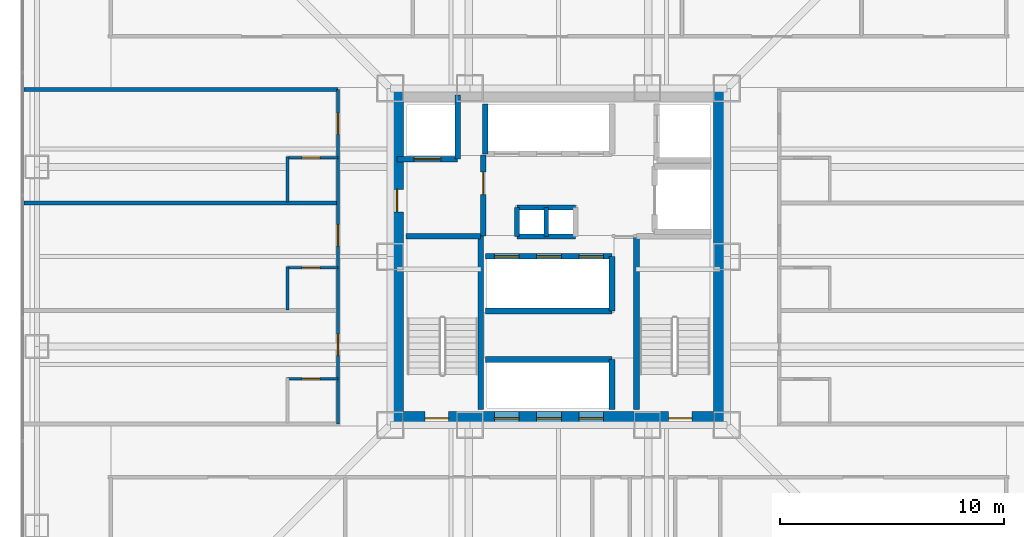
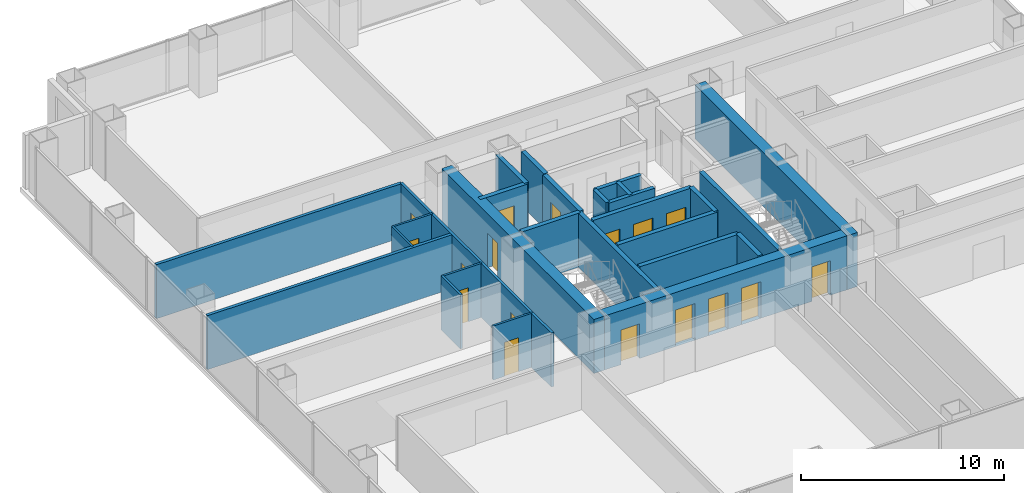
# One storey, part 11 of 16: 27 walls, 17 doors, 17 openings.
"""IFC4 building model written with IfcOpenShell, lengths in metres."""

from ifc_helpers import new_model, si_unit, direction, frame, frame_2d, origin, place, context, subcontext, project, spatial, rectangle, extrude, material, layer, layer_set, type_object, element, fill, save


model = new_model("IFC4")

# Units and contexts
model_context = context("Model", 3, precision=1e-05, world=origin(), true_north=direction((0.0, 1.0)))
body_context = subcontext(model_context, "Body", "Model", "MODEL_VIEW")
ifc_project = project(units=[si_unit("LENGTHUNIT", "METRE"), si_unit("AREAUNIT", "SQUARE_METRE"), si_unit("VOLUMEUNIT", "CUBIC_METRE"), si_unit("PLANEANGLEUNIT", "RADIAN"), si_unit("MASSUNIT", "GRAM", prefix="KILO")], contexts=[model_context])

# Site, building, storey
site_placement = place(None, origin())
site = spatial("IfcSite", under=ifc_project, at=site_placement, CompositionType="ELEMENT")
building_placement = place(site_placement, origin())
building = spatial("IfcBuilding", under=site, at=building_placement, Name="Trevonay Congress Spire", CompositionType="ELEMENT")
storey_placement = place(building_placement, frame((0.0, 0.0, 51.5)))
storey = spatial("IfcBuildingStorey", under=building, at=storey_placement, Name="L12", CompositionType="ELEMENT", Elevation=51.5)

# Wall, opening, door
ifc_material_1 = material(Name="Concrete C40/50", Category="concrete")
ifc_layer_1 = layer(ifc_material_1, 0.1201171875, Name="Concrete C40/50")
ifc_layer_set_1 = layer_set([ifc_layer_1], Name="Concrete C40/50")
wall_type_1 = type_object("IfcWallType", Name="WAL-BATH-120", PredefinedType="PLUMBINGWALL", material=ifc_layer_set_1)
wall_1_placement = place(storey_placement, frame((-12.080078125, -5.44189453125, 0.0), z_axis=(0.0, 0.0, 1.0), x_axis=(1.0, 0.0, 0.0)))
wall_1 = element("IfcWall", 1, at=wall_1_placement, inside=storey, type_object=wall_type_1, Name="L12 interior wall WH-L12W-BS1", PredefinedType="PLUMBINGWALL", context=body_context, shape_type="SweptSolid", body=[
    extrude(rectangle(XDim=2.25, YDim=0.1201171875, at=frame_2d((1.125, 0.0))), origin(), (0.0, 0.0, 1.0), 3.25),
])
opening_1_placement = place(wall_1_placement, frame((0.64990234375, 0.0, 0.0)))
opening_1 = element("IfcOpeningElement", 2, at=opening_1_placement, cuts=wall_1, Name="Opening D11", PredefinedType="OPENING", context=body_context, shape_type="SweptSolid", body=[
    extrude(rectangle(XDim=0.800048828125, YDim=2.050048828125, at=frame_2d((0.39990234375, 1.02490234375))), frame((0.0, 0.070068359375, 0.0), z_axis=(0.0, -1.0, 0.0), x_axis=(1.0, 0.0, 0.0)), (0.0, 0.0, 1.0), 0.14013671875),
])
ifc_material_2 = material(Name="Pale Anodised Aluminium EN AW-6063-T6", Category="aluminium")
door_type_1 = type_object("IfcDoorType", Name="DOR-BATH-80", OperationType="NOTDEFINED", PredefinedType="DOOR", material=ifc_material_2)
door_1_placement = place(opening_1_placement, origin())
door_1 = element("IfcDoor", 3, at=door_1_placement, inside=storey, type_object=door_type_1, Name="L12 En-suite Bathroom Door", OperationType="SINGLE_SWING_RIGHT", OverallHeight=2.050048828125, OverallWidth=0.800048828125, PredefinedType="DOOR", context=body_context, shape_type="SweptSolid", body=[
    extrude(rectangle(XDim=0.800048828125, YDim=2.050048828125, at=frame_2d((0.39990234375, 1.02490234375))), frame((0.0, 0.02490234375, 0.0), z_axis=(0.0, -1.0, 0.0), x_axis=(1.0, 0.0, 0.0)), (0.0, 0.0, 1.0), 0.050048828125),
])
fill(opening_1, door_1)

wall_2_placement = place(storey_placement, frame((-12.080078125, -0.487060546875, 0.0), z_axis=(0.0, 0.0, 1.0), x_axis=(1.0, 0.0, 0.0)))
wall_2 = element("IfcWall", 4, at=wall_2_placement, inside=storey, type_object=wall_type_1, Name="L12 interior wall WH-L12W-BS2", PredefinedType="PLUMBINGWALL", context=body_context, shape_type="SweptSolid", body=[
    extrude(rectangle(XDim=2.25, YDim=0.1201171875, at=frame_2d((1.125, 0.0))), origin(), (0.0, 0.0, 1.0), 3.25),
])
opening_2_placement = place(wall_2_placement, frame((0.64990234375, 0.0, 0.0)))
opening_2 = element("IfcOpeningElement", 5, at=opening_2_placement, cuts=wall_2, Name="Opening D11", PredefinedType="OPENING", context=body_context, shape_type="SweptSolid", body=[
    extrude(rectangle(XDim=0.800048828125, YDim=2.050048828125, at=frame_2d((0.39990234375, 1.02490234375))), frame((0.0, 0.070068359375, 0.0), z_axis=(0.0, -1.0, 0.0), x_axis=(1.0, 0.0, 0.0)), (0.0, 0.0, 1.0), 0.14013671875),
])
door_2_placement = place(opening_2_placement, origin())
door_2 = element("IfcDoor", 6, at=door_2_placement, inside=storey, type_object=door_type_1, Name="L12 En-suite Bathroom Door", OperationType="SINGLE_SWING_LEFT", OverallHeight=2.050048828125, OverallWidth=0.800048828125, PredefinedType="DOOR", context=body_context, shape_type="SweptSolid", body=[
    extrude(rectangle(XDim=0.800048828125, YDim=2.050048828125, at=frame_2d((0.39990234375, 1.02490234375))), frame((0.0, 0.02490234375, 0.0), z_axis=(0.0, -1.0, 0.0), x_axis=(1.0, 0.0, 0.0)), (0.0, 0.0, 1.0), 0.050048828125),
])
fill(opening_2, door_2)

# Wall
wall_3_placement = place(storey_placement, frame((-12.080078125, -2.3701171875, 0.0), z_axis=(0.0, 0.0, 1.0), x_axis=(0.0, 1.0, 0.0)))
element("IfcWall", 7, at=wall_3_placement, inside=storey, type_object=wall_type_1, Name="L12 interior wall WH-L12W-BF2", PredefinedType="PLUMBINGWALL", context=body_context, shape_type="SweptSolid", body=[
    extrude(rectangle(XDim=1.9130859375, YDim=0.1201171875, at=frame_2d((0.95654296875, 0.0))), origin(), (0.0, 0.0, 1.0), 3.25),
])

# Wall, opening, door
wall_4_placement = place(storey_placement, frame((-12.080078125, 4.407958984375, 0.0), z_axis=(0.0, 0.0, 1.0), x_axis=(1.0, 0.0, 0.0)))
wall_4 = element("IfcWall", 8, at=wall_4_placement, inside=storey, type_object=wall_type_1, Name="L12 interior wall WH-L12W-BS3", PredefinedType="PLUMBINGWALL", context=body_context, shape_type="SweptSolid", body=[
    extrude(rectangle(XDim=2.25, YDim=0.1201171875, at=frame_2d((1.125, 0.0))), origin(), (0.0, 0.0, 1.0), 3.25),
])
opening_3_placement = place(wall_4_placement, frame((0.64990234375, 0.0, 0.0)))
opening_3 = element("IfcOpeningElement", 9, at=opening_3_placement, cuts=wall_4, Name="Opening D11", PredefinedType="OPENING", context=body_context, shape_type="SweptSolid", body=[
    extrude(rectangle(XDim=0.800048828125, YDim=2.050048828125, at=frame_2d((0.39990234375, 1.02490234375))), frame((0.0, 0.070068359375, 0.0), z_axis=(0.0, -1.0, 0.0), x_axis=(1.0, 0.0, 0.0)), (0.0, 0.0, 1.0), 0.14013671875),
])
door_3_placement = place(opening_3_placement, origin())
door_3 = element("IfcDoor", 10, at=door_3_placement, inside=storey, type_object=door_type_1, Name="L12 En-suite Bathroom Door", OperationType="SINGLE_SWING_RIGHT", OverallHeight=2.050048828125, OverallWidth=0.800048828125, PredefinedType="DOOR", context=body_context, shape_type="SweptSolid", body=[
    extrude(rectangle(XDim=0.800048828125, YDim=2.050048828125, at=frame_2d((0.39990234375, 1.02490234375))), frame((0.0, 0.02490234375, 0.0), z_axis=(0.0, -1.0, 0.0), x_axis=(1.0, 0.0, 0.0)), (0.0, 0.0, 1.0), 0.050048828125),
])
fill(opening_3, door_3)

# Wall
wall_5_placement = place(storey_placement, frame((-12.080078125, 2.429931640625, 0.0), z_axis=(0.0, 0.0, 1.0), x_axis=(0.0, 1.0, 0.0)))
element("IfcWall", 11, at=wall_5_placement, inside=storey, type_object=wall_type_1, Name="L12 interior wall WH-L12W-BF3", PredefinedType="PLUMBINGWALL", context=body_context, shape_type="SweptSolid", body=[
    extrude(rectangle(XDim=2.008056640625, YDim=0.1201171875, at=frame_2d((1.00390625, 0.0))), origin(), (0.0, 0.0, 1.0), 3.25),
])

# Wall, openings, doors
ifc_material_3 = material(Name="Concrete C60/75", Category="concrete")
ifc_layer_2 = layer(ifc_material_3, 0.60009765625, Name="Concrete C60/75")
ifc_layer_set_2 = layer_set([ifc_layer_2], Name="Concrete C60/75")
wall_type_2 = type_object("IfcWallType", Name="WAL-CORE-600", PredefinedType="SHEAR", material=ifc_layer_set_2)
wall_6_placement = place(storey_placement, frame((-7.5, -7.199951171875, 0.0), z_axis=(0.0, 0.0, 1.0), x_axis=(1.0, 0.0, 0.0)))
wall_6 = element("IfcWall", 12, at=wall_6_placement, inside=storey, type_object=wall_type_2, Name="L12 South structural core shear wall", PredefinedType="SHEAR", context=body_context, shape_type="SweptSolid", body=[
    extrude(rectangle(XDim=15.0, YDim=0.60009765625, at=frame_2d((7.5, 0.0))), origin(), (0.0, 0.0, 1.0), 3.25),
])
opening_4_placement = place(wall_6_placement, frame((1.550048828125, 0.0, 0.0)))
opening_4 = element("IfcOpeningElement", 13, at=opening_4_placement, cuts=wall_6, Name="Opening D05", PredefinedType="OPENING", context=body_context, shape_type="SweptSolid", body=[
    extrude(rectangle(XDim=1.050048828125, YDim=2.080078125, at=frame_2d((0.52490234375, 1.0400390625))), frame((0.0, 0.31005859375, 0.0), z_axis=(0.0, -1.0, 0.0), x_axis=(1.0, 0.0, 0.0)), (0.0, 0.0, 1.0), 0.6201171875),
])
opening_5_placement = place(wall_6_placement, frame((12.39990234375, 0.0, 0.0)))
opening_5 = element("IfcOpeningElement", 14, at=opening_5_placement, cuts=wall_6, Name="Opening D05", PredefinedType="OPENING", context=body_context, shape_type="SweptSolid", body=[
    extrude(rectangle(XDim=1.050048828125, YDim=2.080078125, at=frame_2d((0.52490234375, 1.0400390625))), frame((0.0, 0.31005859375, 0.0), z_axis=(0.0, -1.0, 0.0), x_axis=(1.0, 0.0, 0.0)), (0.0, 0.0, 1.0), 0.6201171875),
])
opening_6_placement = place(wall_6_placement, frame((4.639892578125, 0.0, 0.0)))
opening_6 = element("IfcOpeningElement", 15, at=opening_6_placement, cuts=wall_6, Name="Opening LD01", PredefinedType="OPENING", context=body_context, shape_type="SweptSolid", body=[
    extrude(rectangle(XDim=1.10009765625, YDim=2.199951171875, at=frame_2d((0.550048828125, 1.10009765625))), frame((0.0, 0.31005859375, 0.0), z_axis=(0.0, -1.0, 0.0), x_axis=(1.0, 0.0, 0.0)), (0.0, 0.0, 1.0), 0.6201171875),
])
opening_7_placement = place(wall_6_placement, frame((6.52001953125, 0.0, 0.0)))
opening_7 = element("IfcOpeningElement", 16, at=opening_7_placement, cuts=wall_6, Name="Opening LD01", PredefinedType="OPENING", context=body_context, shape_type="SweptSolid", body=[
    extrude(rectangle(XDim=1.10009765625, YDim=2.199951171875, at=frame_2d((0.550048828125, 1.10009765625))), frame((0.0, 0.31005859375, 0.0), z_axis=(0.0, -1.0, 0.0), x_axis=(1.0, 0.0, 0.0)), (0.0, 0.0, 1.0), 0.6201171875),
])
opening_8_placement = place(wall_6_placement, frame((8.39990234375, 0.0, 0.0)))
opening_8 = element("IfcOpeningElement", 17, at=opening_8_placement, cuts=wall_6, Name="Opening LD01", PredefinedType="OPENING", context=body_context, shape_type="SweptSolid", body=[
    extrude(rectangle(XDim=1.10009765625, YDim=2.199951171875, at=frame_2d((0.550048828125, 1.10009765625))), frame((0.0, 0.31005859375, 0.0), z_axis=(0.0, -1.0, 0.0), x_axis=(1.0, 0.0, 0.0)), (0.0, 0.0, 1.0), 0.6201171875),
])
door_type_2 = type_object("IfcDoorType", Name="DOR-LIFT-LD01", OperationType="DOUBLE_DOOR_SLIDING", PredefinedType="DOOR", material=ifc_material_2)
door_4_placement = place(opening_6_placement, origin())
door_4 = element("IfcDoor", 18, at=door_4_placement, inside=storey, type_object=door_type_2, Name="L12 Passenger lift PL-01 landing door", OperationType="DOUBLE_DOOR_SLIDING", OverallHeight=2.199951171875, OverallWidth=1.10009765625, PredefinedType="DOOR", context=body_context, shape_type="SweptSolid", body=[
    extrude(rectangle(XDim=1.10009765625, YDim=2.199951171875, at=frame_2d((0.550048828125, 1.10009765625))), frame((0.0, 0.02490234375, 0.0), z_axis=(0.0, -1.0, 0.0), x_axis=(1.0, 0.0, 0.0)), (0.0, 0.0, 1.0), 0.050048828125),
])
fill(opening_6, door_4)
door_5_placement = place(opening_7_placement, origin())
door_5 = element("IfcDoor", 19, at=door_5_placement, inside=storey, type_object=door_type_2, Name="L12 Passenger lift PL-02 landing door", OperationType="DOUBLE_DOOR_SLIDING", OverallHeight=2.199951171875, OverallWidth=1.10009765625, PredefinedType="DOOR", context=body_context, shape_type="SweptSolid", body=[
    extrude(rectangle(XDim=1.10009765625, YDim=2.199951171875, at=frame_2d((0.550048828125, 1.10009765625))), frame((0.0, 0.02490234375, 0.0), z_axis=(0.0, -1.0, 0.0), x_axis=(1.0, 0.0, 0.0)), (0.0, 0.0, 1.0), 0.050048828125),
])
fill(opening_7, door_5)
door_6_placement = place(opening_8_placement, origin())
door_6 = element("IfcDoor", 20, at=door_6_placement, inside=storey, type_object=door_type_2, Name="L12 Passenger lift PL-03 landing door", OperationType="DOUBLE_DOOR_SLIDING", OverallHeight=2.199951171875, OverallWidth=1.10009765625, PredefinedType="DOOR", context=body_context, shape_type="SweptSolid", body=[
    extrude(rectangle(XDim=1.10009765625, YDim=2.199951171875, at=frame_2d((0.550048828125, 1.10009765625))), frame((0.0, 0.02490234375, 0.0), z_axis=(0.0, -1.0, 0.0), x_axis=(1.0, 0.0, 0.0)), (0.0, 0.0, 1.0), 0.050048828125),
])
fill(opening_8, door_6)
ifc_material_4 = material(Name="Steel ASTM A572 Grade 50", Category="steel")
door_type_3 = type_object("IfcDoorType", Name="DOR-STAIR-110", OperationType="NOTDEFINED", PredefinedType="DOOR", material=ifc_material_4)
door_7_placement = place(opening_4_placement, origin())
door_7 = element("IfcDoor", 21, at=door_7_placement, inside=storey, type_object=door_type_3, Name="L12 Protected Stair ST-1 Door", OperationType="SINGLE_SWING_LEFT", OverallHeight=2.080078125, OverallWidth=1.050048828125, PredefinedType="DOOR", context=body_context, shape_type="SweptSolid", body=[
    extrude(rectangle(XDim=1.050048828125, YDim=2.080078125, at=frame_2d((0.52490234375, 1.0400390625))), frame((0.0, 0.02490234375, 0.0), z_axis=(0.0, -1.0, 0.0), x_axis=(1.0, 0.0, 0.0)), (0.0, 0.0, 1.0), 0.050048828125),
])
fill(opening_4, door_7)
door_8_placement = place(opening_5_placement, origin())
door_8 = element("IfcDoor", 22, at=door_8_placement, inside=storey, type_object=door_type_3, Name="L12 Protected Stair ST-2 Door", OperationType="SINGLE_SWING_RIGHT", OverallHeight=2.080078125, OverallWidth=1.050048828125, PredefinedType="DOOR", context=body_context, shape_type="SweptSolid", body=[
    extrude(rectangle(XDim=1.050048828125, YDim=2.080078125, at=frame_2d((0.52490234375, 1.0400390625))), frame((0.0, 0.02490234375, 0.0), z_axis=(0.0, -1.0, 0.0), x_axis=(1.0, 0.0, 0.0)), (0.0, 0.0, 1.0), 0.050048828125),
])
fill(opening_5, door_8)

# Wall, opening, door
wall_7_placement = place(storey_placement, frame((-7.199951171875, -7.5, 0.0), z_axis=(0.0, 0.0, 1.0), x_axis=(0.0, 1.0, 0.0)))
wall_7 = element("IfcWall", 23, at=wall_7_placement, inside=storey, type_object=wall_type_2, Name="L12 West structural core shear wall", PredefinedType="SHEAR", context=body_context, shape_type="SweptSolid", body=[
    extrude(rectangle(XDim=15.0, YDim=0.60009765625, at=frame_2d((7.5, 0.0))), origin(), (0.0, 0.0, 1.0), 3.25),
])
opening_9_placement = place(wall_7_placement, frame((9.5, 0.0, 0.0)))
opening_9 = element("IfcOpeningElement", 24, at=opening_9_placement, cuts=wall_7, Name="Opening D06", PredefinedType="OPENING", context=body_context, shape_type="SweptSolid", body=[
    extrude(rectangle(XDim=1.0, YDim=2.080078125, at=frame_2d((0.5, 1.0400390625))), frame((0.0, 0.31005859375, 0.0), z_axis=(0.0, -1.0, 0.0), x_axis=(1.0, 0.0, 0.0)), (0.0, 0.0, 1.0), 0.6201171875),
])
door_type_4 = type_object("IfcDoorType", Name="DOR-FIRE-100", OperationType="NOTDEFINED", PredefinedType="DOOR", material=ifc_material_4)
door_9_placement = place(opening_9_placement, origin())
door_9 = element("IfcDoor", 25, at=door_9_placement, inside=storey, type_object=door_type_4, Name="L12 Firefighting Lift Lobby West Corridor Door", OperationType="SINGLE_SWING_LEFT", OverallHeight=2.080078125, OverallWidth=1.0, PredefinedType="DOOR", context=body_context, shape_type="SweptSolid", body=[
    extrude(rectangle(XDim=1.0, YDim=2.080078125, at=frame_2d((0.5, 1.0400390625))), frame((0.0, 0.02490234375, 0.0), z_axis=(0.0, -1.0, 0.0), x_axis=(1.0, 0.0, 0.0)), (0.0, 0.0, 1.0), 0.050048828125),
])
fill(opening_9, door_9)

# Wall
wall_8_placement = place(storey_placement, frame((7.199951171875, -7.5, 0.0), z_axis=(0.0, 0.0, 1.0), x_axis=(0.0, 1.0, 0.0)))
element("IfcWall", 26, at=wall_8_placement, inside=storey, type_object=wall_type_2, Name="L12 East structural core shear wall", PredefinedType="SHEAR", context=body_context, shape_type="SweptSolid", body=[
    extrude(rectangle(XDim=15.0, YDim=0.60009765625, at=frame_2d((7.5, 0.0))), origin(), (0.0, 0.0, 1.0), 3.25),
])

# Wall, openings, doors
ifc_layer_3 = layer(ifc_material_1, 0.14990234375, Name="Concrete C40/50")
ifc_layer_set_3 = layer_set([ifc_layer_3], Name="Concrete C40/50")
wall_type_3 = type_object("IfcWallType", Name="WAL-CORR-150", PredefinedType="PARTITIONING", material=ifc_layer_set_3)
wall_9_placement = place(storey_placement, frame((-9.830078125, -7.449951171875, 0.0), z_axis=(0.0, 0.0, 1.0), x_axis=(0.0, 1.0, 0.0)))
wall_9 = element("IfcWall", 27, at=wall_9_placement, inside=storey, type_object=wall_type_3, Name="L12 interior wall WH-L12W-COR", PredefinedType="PARTITIONING", context=body_context, shape_type="SweptSolid", body=[
    extrude(rectangle(XDim=14.89990234375, YDim=0.14990234375, at=frame_2d((7.449951171875, 0.0))), origin(), (0.0, 0.0, 1.0), 3.25),
])
opening_10_placement = place(wall_9_placement, frame((3.049072265625, 0.0, 0.0)))
opening_10 = element("IfcOpeningElement", 28, at=opening_10_placement, cuts=wall_9, Name="Opening D08", PredefinedType="OPENING", context=body_context, shape_type="SweptSolid", body=[
    extrude(rectangle(XDim=0.949951171875, YDim=2.080078125, at=frame_2d((0.47509765625, 1.0400390625))), frame((0.0, 0.0849609375, 0.0), z_axis=(0.0, -1.0, 0.0), x_axis=(1.0, 0.0, 0.0)), (0.0, 0.0, 1.0), 0.169921875),
])
opening_11_placement = place(wall_9_placement, frame((7.926513671875, 0.0, 0.0)))
opening_11 = element("IfcOpeningElement", 29, at=opening_11_placement, cuts=wall_9, Name="Opening D08", PredefinedType="OPENING", context=body_context, shape_type="SweptSolid", body=[
    extrude(rectangle(XDim=0.949951171875, YDim=2.080078125, at=frame_2d((0.47509765625, 1.0400390625))), frame((0.0, 0.0849609375, 0.0), z_axis=(0.0, -1.0, 0.0), x_axis=(1.0, 0.0, 0.0)), (0.0, 0.0, 1.0), 0.169921875),
])
opening_12_placement = place(wall_9_placement, frame((12.89892578125, 0.0, 0.0)))
opening_12 = element("IfcOpeningElement", 30, at=opening_12_placement, cuts=wall_9, Name="Opening D08", PredefinedType="OPENING", context=body_context, shape_type="SweptSolid", body=[
    extrude(rectangle(XDim=0.949951171875, YDim=2.080078125, at=frame_2d((0.47509765625, 1.0400390625))), frame((0.0, 0.0849609375, 0.0), z_axis=(0.0, -1.0, 0.0), x_axis=(1.0, 0.0, 0.0)), (0.0, 0.0, 1.0), 0.169921875),
])
door_type_5 = type_object("IfcDoorType", Name="DOR-SUITE-95", OperationType="NOTDEFINED", PredefinedType="DOOR", material=ifc_material_2)
door_10_placement = place(opening_10_placement, origin())
door_10 = element("IfcDoor", 31, at=door_10_placement, inside=storey, type_object=door_type_5, Name="L12 Corner Hotel Suite Entrance Door", OperationType="SINGLE_SWING_LEFT", OverallHeight=2.080078125, OverallWidth=0.949951171875, PredefinedType="DOOR", context=body_context, shape_type="SweptSolid", body=[
    extrude(rectangle(XDim=0.949951171875, YDim=2.080078125, at=frame_2d((0.47509765625, 1.0400390625))), frame((0.0, 0.02490234375, 0.0), z_axis=(0.0, -1.0, 0.0), x_axis=(1.0, 0.0, 0.0)), (0.0, 0.0, 1.0), 0.050048828125),
])
fill(opening_10, door_10)
door_11_placement = place(opening_11_placement, origin())
door_11 = element("IfcDoor", 32, at=door_11_placement, inside=storey, type_object=door_type_5, Name="L12 Corner Hotel Suite Entrance Door", OperationType="SINGLE_SWING_RIGHT", OverallHeight=2.080078125, OverallWidth=0.949951171875, PredefinedType="DOOR", context=body_context, shape_type="SweptSolid", body=[
    extrude(rectangle(XDim=0.949951171875, YDim=2.080078125, at=frame_2d((0.47509765625, 1.0400390625))), frame((0.0, 0.02490234375, 0.0), z_axis=(0.0, -1.0, 0.0), x_axis=(1.0, 0.0, 0.0)), (0.0, 0.0, 1.0), 0.050048828125),
])
fill(opening_11, door_11)
door_12_placement = place(opening_12_placement, origin())
door_12 = element("IfcDoor", 33, at=door_12_placement, inside=storey, type_object=door_type_5, Name="L12 Corner Hotel Suite Entrance Door", OperationType="SINGLE_SWING_LEFT", OverallHeight=2.080078125, OverallWidth=0.949951171875, PredefinedType="DOOR", context=body_context, shape_type="SweptSolid", body=[
    extrude(rectangle(XDim=0.949951171875, YDim=2.080078125, at=frame_2d((0.47509765625, 1.0400390625))), frame((0.0, 0.02490234375, 0.0), z_axis=(0.0, -1.0, 0.0), x_axis=(1.0, 0.0, 0.0)), (0.0, 0.0, 1.0), 0.050048828125),
])
fill(opening_12, door_12)

# Walls
ifc_layer_4 = layer(ifc_material_1, 0.179931640625, Name="Concrete C40/50")
ifc_layer_set_4 = layer_set([ifc_layer_4], Name="Concrete C40/50")
wall_type_4 = type_object("IfcWallType", Name="WAL-HOTEL-180", PredefinedType="PARTITIONING", material=ifc_layer_set_4)
for number, where, z_axis, x_axis, name in (
    (34, (-23.820068359375, 2.39990234375, 0.0), (0.0, 0.0, 1.0), (1.0, 0.0, 0.0), "L12 interior wall WH-L12W-DIV3"),
    (35, (-23.820068359375, 7.449951171875, 0.0), (0.0, 0.0, 1.0), (1.0, 0.0, 0.0), "L12 interior wall WH-L12W-DIV4"),
):
    element("IfcWall", number, at=place(storey_placement, frame(where, z_axis=z_axis, x_axis=x_axis)), inside=storey, type_object=wall_type_4, Name=name, PredefinedType="PARTITIONING", context=body_context, shape_type="SweptSolid", body=[
        extrude(rectangle(XDim=13.989990234375, YDim=0.179931640625, at=frame_2d((6.9951171875, 0.0))), origin(), (0.0, 0.0, 1.0), 3.25),
    ])
ifc_layer_5 = layer(ifc_material_1, 0.219970703125, Name="Concrete C40/50")
ifc_layer_set_5 = layer_set([ifc_layer_5], Name="Concrete C40/50")
wall_type_5 = type_object("IfcWallType", Name="WAL-SHAFT-220", PredefinedType="PARTITIONING", material=ifc_layer_set_5)
for number, where, z_axis, x_axis, name in (
    (36, (-1.85009765625, 2.199951171875, 0.0), (0.0, 0.0, 1.0), (1.0, 0.0, 0.0), "L12 interior shaft wall WSH-L12-RSR-N"),
    (37, (-1.85009765625, 0.89990234375, 0.0), (0.0, 0.0, 1.0), (1.0, 0.0, 0.0), "L12 interior shaft wall WSH-L12-RSR-S"),
):
    element("IfcWall", number, at=place(storey_placement, frame(where, z_axis=z_axis, x_axis=x_axis)), inside=storey, type_object=wall_type_5, Name=name, PredefinedType="PARTITIONING", context=body_context, shape_type="SweptSolid", body=[
        extrude(rectangle(XDim=2.60009765625, YDim=0.219970703125, at=frame_2d((1.300048828125, 0.0))), origin(), (0.0, 0.0, 1.0), 3.25),
    ])
for number, where, z_axis, x_axis, name in (
    (38, (-0.550048828125, 0.89990234375, 0.0), (0.0, 0.0, 1.0), (0.0, 1.0, 0.0), "L12 interior shaft wall WSH-L12-RSR-M"),
    (39, (-1.85009765625, 0.89990234375, 0.0), (0.0, 0.0, 1.0), (0.0, 1.0, 0.0), "L12 interior shaft wall WSH-L12-RSR-W"),
):
    element("IfcWall", number, at=place(storey_placement, frame(where, z_axis=z_axis, x_axis=x_axis)), inside=storey, type_object=wall_type_5, Name=name, PredefinedType="PARTITIONING", context=body_context, shape_type="SweptSolid", body=[
        extrude(rectangle(XDim=1.300048828125, YDim=0.219970703125, at=frame_2d((0.64990234375, 0.0))), origin(), (0.0, 0.0, 1.0), 3.25),
    ])
ifc_layer_6 = layer(ifc_material_1, 0.25, Name="Concrete C40/50")
ifc_layer_set_6 = layer_set([ifc_layer_6], Name="Concrete C40/50")
wall_type_6 = type_object("IfcWallType", Name="WAL-SHAFT-250", PredefinedType="SHEAR", material=ifc_layer_set_6)
wall_10_placement = place(storey_placement, frame((-3.260009765625, -4.580078125, 0.0), z_axis=(0.0, 0.0, 1.0), x_axis=(1.0, 0.0, 0.0)))
element("IfcWall", 40, at=wall_10_placement, inside=storey, type_object=wall_type_6, Name="L12 interior shaft wall WSH-L12-B1-N", PredefinedType="SHEAR", context=body_context, shape_type="SweptSolid", body=[
    extrude(rectangle(XDim=5.639892578125, YDim=0.25, at=frame_2d((2.81982421875, 0.0))), origin(), (0.0, 0.0, 1.0), 3.25),
])
wall_11_placement = place(storey_placement, frame((2.3798828125, -6.800048828125, 0.0), z_axis=(0.0, 0.0, 1.0), x_axis=(0.0, 1.0, 0.0)))
element("IfcWall", 41, at=wall_11_placement, inside=storey, type_object=wall_type_6, Name="L12 interior shaft wall WSH-L12-B1-E", PredefinedType="SHEAR", context=body_context, shape_type="SweptSolid", body=[
    extrude(rectangle(XDim=2.219970703125, YDim=0.25, at=frame_2d((1.10986328125, 0.0))), origin(), (0.0, 0.0, 1.0), 3.25),
])

# Wall, openings, doors
wall_12_placement = place(storey_placement, frame((-3.260009765625, 0.02001953125, 0.0), z_axis=(0.0, 0.0, 1.0), x_axis=(1.0, 0.0, 0.0)))
wall_12 = element("IfcWall", 42, at=wall_12_placement, inside=storey, type_object=wall_type_6, Name="L12 interior shaft wall WSH-L12-B2-N", PredefinedType="SHEAR", context=body_context, shape_type="SweptSolid", body=[
    extrude(rectangle(XDim=5.639892578125, YDim=0.25, at=frame_2d((2.81982421875, 0.0))), origin(), (0.0, 0.0, 1.0), 3.25),
])
opening_13_placement = place(wall_12_placement, frame((0.39990234375, 0.0, 0.0)))
opening_13 = element("IfcOpeningElement", 43, at=opening_13_placement, cuts=wall_12, Name="Opening LD02", PredefinedType="OPENING", context=body_context, shape_type="SweptSolid", body=[
    extrude(rectangle(XDim=1.10009765625, YDim=2.199951171875, at=frame_2d((0.550048828125, 1.10009765625))), frame((0.0, 0.135009765625, 0.0), z_axis=(0.0, -1.0, 0.0), x_axis=(1.0, 0.0, 0.0)), (0.0, 0.0, 1.0), 0.27001953125),
])
opening_14_placement = place(wall_12_placement, frame((2.280029296875, 0.0, 0.0)))
opening_14 = element("IfcOpeningElement", 44, at=opening_14_placement, cuts=wall_12, Name="Opening LD02", PredefinedType="OPENING", context=body_context, shape_type="SweptSolid", body=[
    extrude(rectangle(XDim=1.10009765625, YDim=2.199951171875, at=frame_2d((0.550048828125, 1.10009765625))), frame((0.0, 0.135009765625, 0.0), z_axis=(0.0, -1.0, 0.0), x_axis=(1.0, 0.0, 0.0)), (0.0, 0.0, 1.0), 0.27001953125),
])
opening_15_placement = place(wall_12_placement, frame((4.159912109375, 0.0, 0.0)))
opening_15 = element("IfcOpeningElement", 45, at=opening_15_placement, cuts=wall_12, Name="Opening LD02", PredefinedType="OPENING", context=body_context, shape_type="SweptSolid", body=[
    extrude(rectangle(XDim=1.10009765625, YDim=2.199951171875, at=frame_2d((0.550048828125, 1.10009765625))), frame((0.0, 0.135009765625, 0.0), z_axis=(0.0, -1.0, 0.0), x_axis=(1.0, 0.0, 0.0)), (0.0, 0.0, 1.0), 0.27001953125),
])
door_type_6 = type_object("IfcDoorType", Name="DOR-LIFT-LD02", OperationType="DOUBLE_DOOR_SLIDING", PredefinedType="DOOR", material=ifc_material_2)
door_13_placement = place(opening_13_placement, origin())
door_13 = element("IfcDoor", 46, at=door_13_placement, inside=storey, type_object=door_type_6, Name="L12 Passenger lift PL-04 landing door", OperationType="DOUBLE_DOOR_SLIDING", OverallHeight=2.199951171875, OverallWidth=1.10009765625, PredefinedType="DOOR", context=body_context, shape_type="SweptSolid", body=[
    extrude(rectangle(XDim=1.10009765625, YDim=2.199951171875, at=frame_2d((0.550048828125, 1.10009765625))), frame((0.0, 0.02490234375, 0.0), z_axis=(0.0, -1.0, 0.0), x_axis=(1.0, 0.0, 0.0)), (0.0, 0.0, 1.0), 0.050048828125),
])
fill(opening_13, door_13)
door_14_placement = place(opening_14_placement, origin())
door_14 = element("IfcDoor", 47, at=door_14_placement, inside=storey, type_object=door_type_6, Name="L12 Passenger lift PL-05 landing door", OperationType="DOUBLE_DOOR_SLIDING", OverallHeight=2.199951171875, OverallWidth=1.10009765625, PredefinedType="DOOR", context=body_context, shape_type="SweptSolid", body=[
    extrude(rectangle(XDim=1.10009765625, YDim=2.199951171875, at=frame_2d((0.550048828125, 1.10009765625))), frame((0.0, 0.02490234375, 0.0), z_axis=(0.0, -1.0, 0.0), x_axis=(1.0, 0.0, 0.0)), (0.0, 0.0, 1.0), 0.050048828125),
])
fill(opening_14, door_14)
door_15_placement = place(opening_15_placement, origin())
door_15 = element("IfcDoor", 48, at=door_15_placement, inside=storey, type_object=door_type_6, Name="L12 Passenger lift PL-06 landing door", OperationType="DOUBLE_DOOR_SLIDING", OverallHeight=2.199951171875, OverallWidth=1.10009765625, PredefinedType="DOOR", context=body_context, shape_type="SweptSolid", body=[
    extrude(rectangle(XDim=1.10009765625, YDim=2.199951171875, at=frame_2d((0.550048828125, 1.10009765625))), frame((0.0, 0.02490234375, 0.0), z_axis=(0.0, -1.0, 0.0), x_axis=(1.0, 0.0, 0.0)), (0.0, 0.0, 1.0), 0.050048828125),
])
fill(opening_15, door_15)

# Walls
wall_13_placement = place(storey_placement, frame((-3.260009765625, -2.419921875, 0.0), z_axis=(0.0, 0.0, 1.0), x_axis=(1.0, 0.0, 0.0)))
element("IfcWall", 49, at=wall_13_placement, inside=storey, type_object=wall_type_6, Name="L12 interior shaft wall WSH-L12-B2-S", PredefinedType="SHEAR", context=body_context, shape_type="SweptSolid", body=[
    extrude(rectangle(XDim=5.639892578125, YDim=0.25, at=frame_2d((2.81982421875, 0.0))), origin(), (0.0, 0.0, 1.0), 3.25),
])
wall_14_placement = place(storey_placement, frame((2.3798828125, -2.419921875, 0.0), z_axis=(0.0, 0.0, 1.0), x_axis=(0.0, 1.0, 0.0)))
element("IfcWall", 50, at=wall_14_placement, inside=storey, type_object=wall_type_6, Name="L12 interior shaft wall WSH-L12-B2-E", PredefinedType="SHEAR", context=body_context, shape_type="SweptSolid", body=[
    extrude(rectangle(XDim=2.43994140625, YDim=0.25, at=frame_2d((1.219970703125, 0.0))), origin(), (0.0, 0.0, 1.0), 3.25),
])
wall_15_placement = place(storey_placement, frame((-3.260009765625, 4.580078125, 0.0), z_axis=(0.0, 0.0, 1.0), x_axis=(0.0, 1.0, 0.0)))
element("IfcWall", 51, at=wall_15_placement, inside=storey, type_object=wall_type_6, Name="L12 interior shaft wall WSH-L12-B3-W", PredefinedType="SHEAR", context=body_context, shape_type="SweptSolid", body=[
    extrude(rectangle(XDim=2.219970703125, YDim=0.25, at=frame_2d((1.10986328125, 0.0))), origin(), (0.0, 0.0, 1.0), 3.25),
])

# Wall, opening, door
wall_16_placement = place(storey_placement, frame((-7.199951171875, 4.35009765625, 0.0), z_axis=(0.0, 0.0, 1.0), x_axis=(1.0, 0.0, 0.0)))
wall_16 = element("IfcWall", 52, at=wall_16_placement, inside=storey, type_object=wall_type_6, Name="L12 interior shaft wall WSH-L12-FF1-S", PredefinedType="SHEAR", context=body_context, shape_type="SweptSolid", body=[
    extrude(rectangle(XDim=2.699951171875, YDim=0.25, at=frame_2d((1.35009765625, 0.0))), origin(), (0.0, 0.0, 1.0), 3.25),
])
opening_16_placement = place(wall_16_placement, frame((0.75, 0.0, 0.0)))
opening_16 = element("IfcOpeningElement", 53, at=opening_16_placement, cuts=wall_16, Name="Opening LD04", PredefinedType="OPENING", context=body_context, shape_type="SweptSolid", body=[
    extrude(rectangle(XDim=1.199951171875, YDim=2.199951171875, at=frame_2d((0.60009765625, 1.10009765625))), frame((0.0, 0.135009765625, 0.0), z_axis=(0.0, -1.0, 0.0), x_axis=(1.0, 0.0, 0.0)), (0.0, 0.0, 1.0), 0.27001953125),
])
door_type_7 = type_object("IfcDoorType", Name="DOR-LIFT-LD04", OperationType="DOUBLE_DOOR_SLIDING", PredefinedType="DOOR", material=ifc_material_4)
door_16_placement = place(opening_16_placement, origin())
door_16 = element("IfcDoor", 54, at=door_16_placement, inside=storey, type_object=door_type_7, Name="L12 Firefighting lift FFL-01 landing door", OperationType="DOUBLE_DOOR_SLIDING", OverallHeight=2.199951171875, OverallWidth=1.199951171875, PredefinedType="DOOR", context=body_context, shape_type="SweptSolid", body=[
    extrude(rectangle(XDim=1.199951171875, YDim=2.199951171875, at=frame_2d((0.60009765625, 1.10009765625))), frame((0.0, 0.02490234375, 0.0), z_axis=(0.0, -1.0, 0.0), x_axis=(1.0, 0.0, 0.0)), (0.0, 0.0, 1.0), 0.050048828125),
])
fill(opening_16, door_16)

# Wall
wall_17_placement = place(storey_placement, frame((-4.5, 4.35009765625, 0.0), z_axis=(0.0, 0.0, 1.0), x_axis=(0.0, 1.0, 0.0)))
element("IfcWall", 55, at=wall_17_placement, inside=storey, type_object=wall_type_6, Name="L12 interior shaft wall WSH-L12-FF1-E", PredefinedType="SHEAR", context=body_context, shape_type="SweptSolid", body=[
    extrude(rectangle(XDim=2.849853515625, YDim=0.25, at=frame_2d((1.4248046875, 0.0))), origin(), (0.0, 0.0, 1.0), 3.25),
])

# Wall, opening, door
wall_18_placement = place(storey_placement, frame((-3.35009765625, 0.919921875, 0.0), z_axis=(0.0, 0.0, 1.0), x_axis=(0.0, 1.0, 0.0)))
wall_18 = element("IfcWall", 56, at=wall_18_placement, inside=storey, type_object=wall_type_6, Name="L12 interior wall CW-FFLW-E-L12", PredefinedType="SHEAR", context=body_context, shape_type="SweptSolid", body=[
    extrude(rectangle(XDim=3.6201171875, YDim=0.25, at=frame_2d((1.81005859375, 0.0))), origin(), (0.0, 0.0, 1.0), 3.25),
])
opening_17_placement = place(wall_18_placement, frame((1.85009765625, 0.0, 0.0)))
opening_17 = element("IfcOpeningElement", 57, at=opening_17_placement, cuts=wall_18, Name="Opening D06", PredefinedType="OPENING", context=body_context, shape_type="SweptSolid", body=[
    extrude(rectangle(XDim=1.0, YDim=2.080078125, at=frame_2d((0.5, 1.0400390625))), frame((0.0, 0.135009765625, 0.0), z_axis=(0.0, -1.0, 0.0), x_axis=(1.0, 0.0, 0.0)), (0.0, 0.0, 1.0), 0.27001953125),
])
door_17_placement = place(opening_17_placement, origin())
door_17 = element("IfcDoor", 58, at=door_17_placement, inside=storey, type_object=door_type_4, Name="L12 Firefighting Core Lobby Transfer Door", OperationType="SINGLE_SWING_RIGHT", OverallHeight=2.080078125, OverallWidth=1.0, PredefinedType="DOOR", context=body_context, shape_type="SweptSolid", body=[
    extrude(rectangle(XDim=1.0, YDim=2.080078125, at=frame_2d((0.5, 1.0400390625))), frame((0.0, 0.02490234375, 0.0), z_axis=(0.0, -1.0, 0.0), x_axis=(1.0, 0.0, 0.0)), (0.0, 0.0, 1.0), 0.050048828125),
])
fill(opening_17, door_17)

# Walls
ifc_layer_7 = layer(ifc_material_1, 0.25, Name="Concrete C40/50")
ifc_layer_set_7 = layer_set([ifc_layer_7], Name="Concrete C40/50")
wall_type_7 = type_object("IfcWallType", Name="WAL-SHAFT-LB-250", PredefinedType="SHEAR", material=ifc_layer_set_7)
wall_19_placement = place(storey_placement, frame((-3.469970703125, -6.800048828125, 0.0), z_axis=(0.0, 0.0, 1.0), x_axis=(0.0, 1.0, 0.0)))
element("IfcWall", 59, at=wall_19_placement, inside=storey, type_object=wall_type_7, Name="L12 interior shaft wall WSH-L12-ST1-E", PredefinedType="SHEAR", context=body_context, shape_type="SweptSolid", body=[
    extrude(rectangle(XDim=7.719970703125, YDim=0.25, at=frame_2d((3.85986328125, 0.0))), origin(), (0.0, 0.0, 1.0), 3.25),
])
wall_20_placement = place(storey_placement, frame((-6.800048828125, 0.919921875, 0.0), z_axis=(0.0, 0.0, 1.0), x_axis=(1.0, 0.0, 0.0)))
element("IfcWall", 60, at=wall_20_placement, inside=storey, type_object=wall_type_7, Name="L12 interior shaft wall WSH-L12-ST1-N", PredefinedType="SHEAR", context=body_context, shape_type="SweptSolid", body=[
    extrude(rectangle(XDim=3.330078125, YDim=0.25, at=frame_2d((1.6650390625, 0.0))), origin(), (0.0, 0.0, 1.0), 3.25),
])
wall_21_placement = place(storey_placement, frame((3.469970703125, -6.800048828125, 0.0), z_axis=(0.0, 0.0, 1.0), x_axis=(0.0, 1.0, 0.0)))
element("IfcWall", 61, at=wall_21_placement, inside=storey, type_object=wall_type_7, Name="L12 interior shaft wall WSH-L12-ST2-W", PredefinedType="SHEAR", context=body_context, shape_type="SweptSolid", body=[
    extrude(rectangle(XDim=7.719970703125, YDim=0.25, at=frame_2d((3.85986328125, 0.0))), origin(), (0.0, 0.0, 1.0), 3.25),
])

save(model, "model.ifc")
